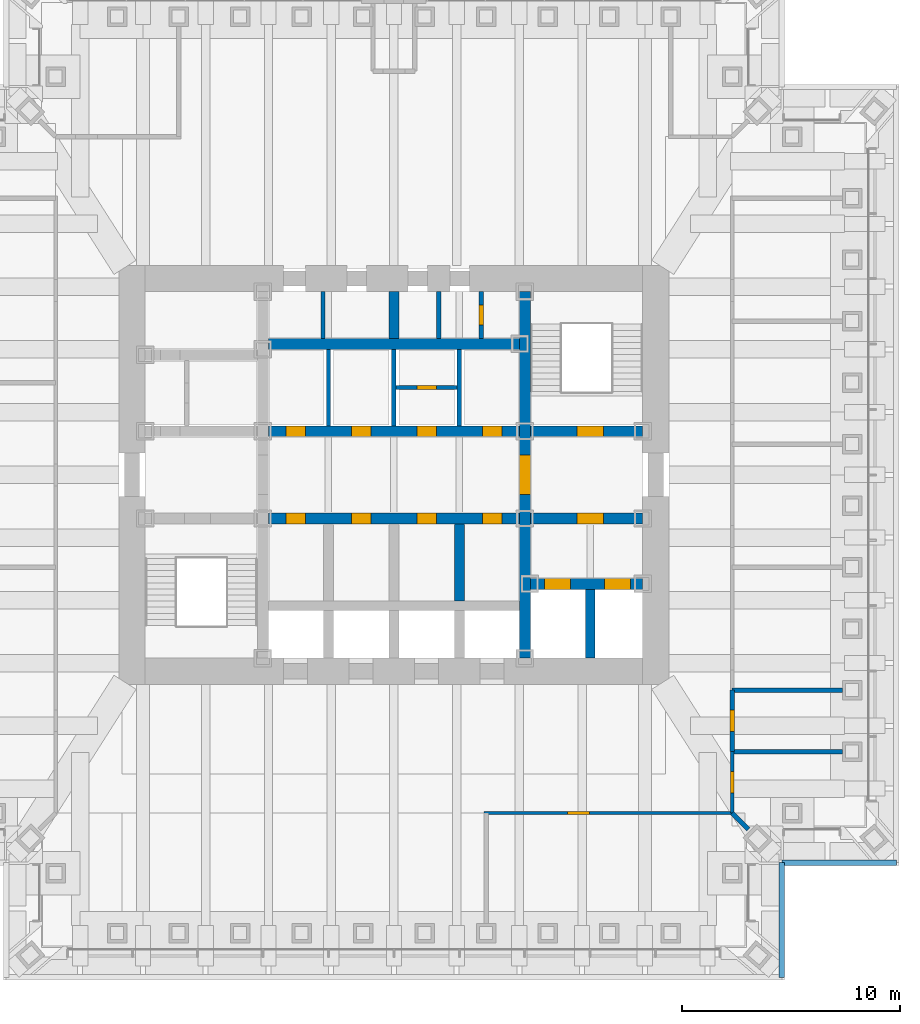
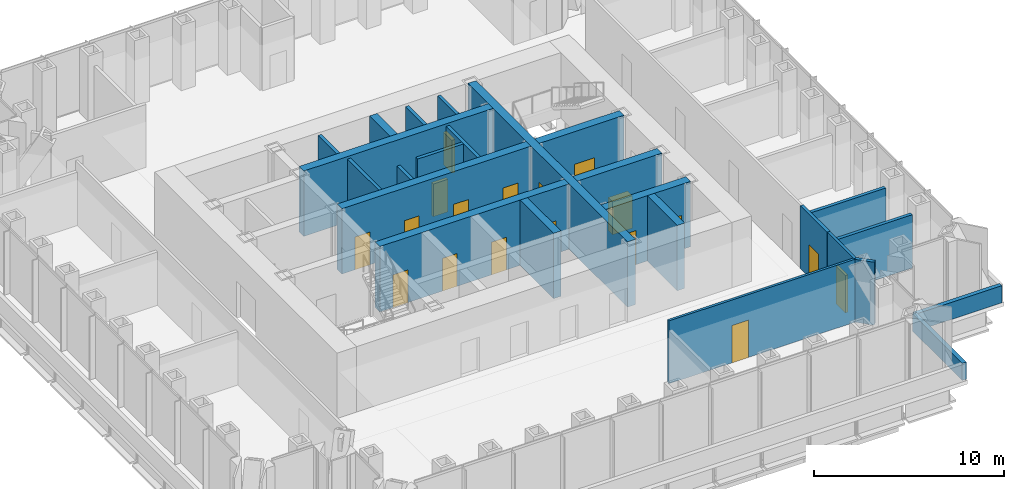
# One storey, part 9 of 12: 25 walls, 18 doors, 18 openings.
"""IFC4 building model written with IfcOpenShell, lengths in metres."""

from ifc_helpers import new_model, si_unit, direction, frame, frame_2d, origin, place, context, subcontext, project, spatial, rectangle, extrude, material, layer, layer_set, type_object, element, fill, save


model = new_model("IFC4")

# Units and contexts
model_context = context("Model", 3, precision=1e-05, world=origin(), true_north=direction((0.0, 1.0)))
body_context = subcontext(model_context, "Body", "Model", "MODEL_VIEW")
ifc_project = project(units=[si_unit("LENGTHUNIT", "METRE"), si_unit("AREAUNIT", "SQUARE_METRE"), si_unit("VOLUMEUNIT", "CUBIC_METRE"), si_unit("PLANEANGLEUNIT", "RADIAN"), si_unit("MASSUNIT", "GRAM", prefix="KILO")], contexts=[model_context])

# Site, building, storey
site_placement = place(None, origin())
site = spatial("IfcSite", under=ifc_project, at=site_placement, CompositionType="ELEMENT")
building_placement = place(site_placement, origin())
building = spatial("IfcBuilding", under=site, at=building_placement, Name="Daluyong Arena Tower", CompositionType="ELEMENT")
storey_placement = place(building_placement, frame((0.0, 0.0, 181.300048828125)))
storey = spatial("IfcBuildingStorey", under=building, at=storey_placement, Name="L40", CompositionType="ELEMENT", Elevation=181.300048828125)

# Wall, opening, door
ifc_material_1 = material(Name="Concrete fc' 45 MPa", Category="concrete")
ifc_layer_1 = layer(ifc_material_1, 0.5)
ifc_layer_set_1 = layer_set([ifc_layer_1], Name="Concrete fc' 45 MPa")
wall_type_1 = type_object("IfcWallType", Name="Core inner wall 500", PredefinedType="SHEAR", material=ifc_layer_set_1)
wall_1_placement = place(storey_placement, frame((62.0, 71.60009765625, 0.0), z_axis=(0.0, 0.0, 1.0), x_axis=(0.0, 1.0, 0.0)))
wall_1 = element("IfcWall", 1, at=wall_1_placement, inside=storey, type_object=wall_type_1, Name="core inner wall at L40", PredefinedType="SHEAR", context=body_context, shape_type="SweptSolid", body=[
    extrude(rectangle(XDim=16.7998046875, YDim=0.5, at=frame_2d((8.39990234375, 0.0))), origin(), (0.0, 0.0, 1.0), 4.199951171875),
])
opening_1_placement = place(wall_1_placement, frame((7.5, 0.0, 0.0)))
opening_1 = element("IfcOpeningElement", 2, at=opening_1_placement, cuts=wall_1, Name="Opening 40023", PredefinedType="OPENING", context=body_context, shape_type="SweptSolid", body=[
    extrude(rectangle(XDim=1.800048828125, YDim=2.39990234375, at=frame_2d((0.89990234375, 1.199951171875))), frame((0.0, 0.260009765625, 0.0), z_axis=(0.0, -1.0, 0.0), x_axis=(1.0, 0.0, 0.0)), (0.0, 0.0, 1.0), 0.52001953125),
])
ifc_material_2 = material(Name="Steel door, fire rated", Category="steel")
door_type_1 = type_object("IfcDoorType", Name="Lift lobby opening door 1800", OperationType="DOUBLE_DOOR_SINGLE_SWING", PredefinedType="DOOR", material=ifc_material_2)
door_1_placement = place(opening_1_placement, origin())
door_1 = element("IfcDoor", 3, at=door_1_placement, inside=storey, type_object=door_type_1, Name="lift lobby door east 40023", OperationType="DOUBLE_DOOR_SINGLE_SWING", OverallHeight=2.39990234375, OverallWidth=1.800048828125, PredefinedType="DOOR", context=body_context, shape_type="SweptSolid", body=[
    extrude(rectangle(XDim=1.800048828125, YDim=2.39990234375, at=frame_2d((0.89990234375, 1.199951171875))), frame((0.0, 0.249755859375, 0.0), z_axis=(0.0, -1.0, 0.0), x_axis=(1.0, 0.0, 0.0)), (0.0, 0.0, 1.0), 0.49951171875),
])
fill(opening_1, door_1)

# Wall, openings, doors
wall_2_placement = place(storey_placement, frame((62.25, 75.0, 0.0), z_axis=(0.0, 0.0, 1.0), x_axis=(1.0, 0.0, 0.0)))
wall_2 = element("IfcWall", 4, at=wall_2_placement, inside=storey, type_object=wall_type_1, Name="core inner wall at L40", PredefinedType="SHEAR", context=body_context, shape_type="SweptSolid", body=[
    extrude(rectangle(XDim=5.14990234375, YDim=0.5, at=frame_2d((2.574951171875, 0.0))), origin(), (0.0, 0.0, 1.0), 4.199951171875),
])
opening_2_placement = place(wall_2_placement, frame((0.64990234375, 0.0, 0.0)))
opening_2 = element("IfcOpeningElement", 5, at=opening_2_placement, cuts=wall_2, Name="Opening 40029", PredefinedType="OPENING", context=body_context, shape_type="SweptSolid", body=[
    extrude(rectangle(XDim=1.199951171875, YDim=2.199951171875, at=frame_2d((0.60009765625, 1.10009765625))), frame((0.0, 0.260009765625, 0.0), z_axis=(0.0, -1.0, 0.0), x_axis=(1.0, 0.0, 0.0)), (0.0, 0.0, 1.0), 0.52001953125),
])
opening_3_placement = place(wall_2_placement, frame((3.39990234375, 0.0, 0.0)))
opening_3 = element("IfcOpeningElement", 6, at=opening_3_placement, cuts=wall_2, Name="Opening 40030", PredefinedType="OPENING", context=body_context, shape_type="SweptSolid", body=[
    extrude(rectangle(XDim=1.199951171875, YDim=2.199951171875, at=frame_2d((0.60009765625, 1.10009765625))), frame((0.0, 0.260009765625, 0.0), z_axis=(0.0, -1.0, 0.0), x_axis=(1.0, 0.0, 0.0)), (0.0, 0.0, 1.0), 0.52001953125),
])
ifc_material_3 = material(Name="Steel door, fire rated", Category="steel")
door_type_2 = type_object("IfcDoorType", Name="Firefighting lift landing door 1200", OperationType="SLIDING_TO_LEFT", PredefinedType="DOOR", material=ifc_material_3)
door_2_placement = place(opening_2_placement, origin())
door_2 = element("IfcDoor", 7, at=door_2_placement, inside=storey, type_object=door_type_2, Name="firefighting lift landing door F1 40029", OperationType="SLIDING_TO_LEFT", OverallHeight=2.199951171875, OverallWidth=1.199951171875, PredefinedType="DOOR", context=body_context, shape_type="SweptSolid", body=[
    extrude(rectangle(XDim=1.199951171875, YDim=2.199951171875, at=frame_2d((0.60009765625, 1.10009765625))), frame((0.0, 0.249755859375, 0.0), z_axis=(0.0, -1.0, 0.0), x_axis=(1.0, 0.0, 0.0)), (0.0, 0.0, 1.0), 0.49951171875),
])
fill(opening_2, door_2)
door_3_placement = place(opening_3_placement, origin())
door_3 = element("IfcDoor", 8, at=door_3_placement, inside=storey, type_object=door_type_2, Name="firefighting lift landing door F2 40030", OperationType="SLIDING_TO_LEFT", OverallHeight=2.199951171875, OverallWidth=1.199951171875, PredefinedType="DOOR", context=body_context, shape_type="SweptSolid", body=[
    extrude(rectangle(XDim=1.199951171875, YDim=2.199951171875, at=frame_2d((0.60009765625, 1.10009765625))), frame((0.0, 0.249755859375, 0.0), z_axis=(0.0, -1.0, 0.0), x_axis=(1.0, 0.0, 0.0)), (0.0, 0.0, 1.0), 0.49951171875),
])
fill(opening_3, door_3)

# Wall, opening, door
wall_3_placement = place(storey_placement, frame((62.25, 78.0, 0.0), z_axis=(0.0, 0.0, 1.0), x_axis=(1.0, 0.0, 0.0)))
wall_3 = element("IfcWall", 9, at=wall_3_placement, inside=storey, type_object=wall_type_1, Name="core inner wall at L40", PredefinedType="SHEAR", context=body_context, shape_type="SweptSolid", body=[
    extrude(rectangle(XDim=5.14990234375, YDim=0.5, at=frame_2d((2.574951171875, 0.0))), origin(), (0.0, 0.0, 1.0), 4.199951171875),
])
opening_4_placement = place(wall_3_placement, frame((2.14990234375, 0.0, 0.0)))
opening_4 = element("IfcOpeningElement", 10, at=opening_4_placement, cuts=wall_3, Name="Opening 40024", PredefinedType="OPENING", context=body_context, shape_type="SweptSolid", body=[
    extrude(rectangle(XDim=1.199951171875, YDim=2.10009765625, at=frame_2d((0.60009765625, 1.050048828125))), frame((0.0, 0.260009765625, 0.0), z_axis=(0.0, -1.0, 0.0), x_axis=(1.0, 0.0, 0.0)), (0.0, 0.0, 1.0), 0.52001953125),
])
ifc_material_4 = material(Name="Steel door, fire rated", Category="steel")
door_type_3 = type_object("IfcDoorType", Name="Firefighting lobby door 1200", OperationType="SINGLE_SWING_RIGHT", PredefinedType="DOOR", material=ifc_material_4)
door_4_placement = place(opening_4_placement, origin())
door_4 = element("IfcDoor", 11, at=door_4_placement, inside=storey, type_object=door_type_3, Name="firefighting lobby door 40024", OperationType="SINGLE_SWING_RIGHT", OverallHeight=2.10009765625, OverallWidth=1.199951171875, PredefinedType="DOOR", context=body_context, shape_type="SweptSolid", body=[
    extrude(rectangle(XDim=1.199951171875, YDim=2.10009765625, at=frame_2d((0.60009765625, 1.050048828125))), frame((0.0, 0.249755859375, 0.0), z_axis=(0.0, -1.0, 0.0), x_axis=(1.0, 0.0, 0.0)), (0.0, 0.0, 1.0), 0.49951171875),
])
fill(opening_4, door_4)

wall_4_placement = place(storey_placement, frame((62.25, 82.0, 0.0), z_axis=(0.0, 0.0, 1.0), x_axis=(1.0, 0.0, 0.0)))
wall_4 = element("IfcWall", 12, at=wall_4_placement, inside=storey, type_object=wall_type_1, Name="core inner wall at L40", PredefinedType="SHEAR", context=body_context, shape_type="SweptSolid", body=[
    extrude(rectangle(XDim=5.14990234375, YDim=0.5, at=frame_2d((2.574951171875, 0.0))), origin(), (0.0, 0.0, 1.0), 4.199951171875),
])
opening_5_placement = place(wall_4_placement, frame((2.14990234375, 0.0, 0.0)))
opening_5 = element("IfcOpeningElement", 13, at=opening_5_placement, cuts=wall_4, Name="Opening 40019", PredefinedType="OPENING", context=body_context, shape_type="SweptSolid", body=[
    extrude(rectangle(XDim=1.199951171875, YDim=2.10009765625, at=frame_2d((0.60009765625, 1.050048828125))), frame((0.0, 0.260009765625, 0.0), z_axis=(0.0, -1.0, 0.0), x_axis=(1.0, 0.0, 0.0)), (0.0, 0.0, 1.0), 0.52001953125),
])
ifc_material_5 = material(Name="Steel door, fire rated", Category="steel")
door_type_4 = type_object("IfcDoorType", Name="Stair door 1200", OperationType="SINGLE_SWING_LEFT", PredefinedType="DOOR", material=ifc_material_5)
door_5_placement = place(opening_5_placement, origin())
door_5 = element("IfcDoor", 14, at=door_5_placement, inside=storey, type_object=door_type_4, Name="stair B door 40019", OperationType="SINGLE_SWING_LEFT", OverallHeight=2.10009765625, OverallWidth=1.199951171875, PredefinedType="DOOR", context=body_context, shape_type="SweptSolid", body=[
    extrude(rectangle(XDim=1.199951171875, YDim=2.10009765625, at=frame_2d((0.60009765625, 1.050048828125))), frame((0.0, 0.249755859375, 0.0), z_axis=(0.0, -1.0, 0.0), x_axis=(1.0, 0.0, 0.0)), (0.0, 0.0, 1.0), 0.49951171875),
])
fill(opening_5, door_5)

# Wall, openings, doors
wall_5_placement = place(storey_placement, frame((50.25, 78.0, 0.0), z_axis=(0.0, 0.0, 1.0), x_axis=(1.0, 0.0, 0.0)))
wall_5 = element("IfcWall", 15, at=wall_5_placement, inside=storey, type_object=wall_type_1, Name="core inner wall at L40", PredefinedType="SHEAR", context=body_context, shape_type="SweptSolid", body=[
    extrude(rectangle(XDim=11.5, YDim=0.5, at=frame_2d((5.75, 0.0))), origin(), (0.0, 0.0, 1.0), 4.199951171875),
])
opening_6_placement = place(wall_5_placement, frame((0.800048828125, 0.0, 0.0)))
opening_6 = element("IfcOpeningElement", 16, at=opening_6_placement, cuts=wall_5, Name="Opening 40009", PredefinedType="OPENING", context=body_context, shape_type="SweptSolid", body=[
    extrude(rectangle(XDim=0.89990234375, YDim=2.10009765625, at=frame_2d((0.449951171875, 1.050048828125))), frame((0.0, 0.260009765625, 0.0), z_axis=(0.0, -1.0, 0.0), x_axis=(1.0, 0.0, 0.0)), (0.0, 0.0, 1.0), 0.52001953125),
])
opening_7_placement = place(wall_5_placement, frame((3.800048828125, 0.0, 0.0)))
opening_7 = element("IfcOpeningElement", 17, at=opening_7_placement, cuts=wall_5, Name="Opening 40010", PredefinedType="OPENING", context=body_context, shape_type="SweptSolid", body=[
    extrude(rectangle(XDim=0.89990234375, YDim=2.10009765625, at=frame_2d((0.449951171875, 1.050048828125))), frame((0.0, 0.260009765625, 0.0), z_axis=(0.0, -1.0, 0.0), x_axis=(1.0, 0.0, 0.0)), (0.0, 0.0, 1.0), 0.52001953125),
])
opening_8_placement = place(wall_5_placement, frame((6.800048828125, 0.0, 0.0)))
opening_8 = element("IfcOpeningElement", 18, at=opening_8_placement, cuts=wall_5, Name="Opening 40011", PredefinedType="OPENING", context=body_context, shape_type="SweptSolid", body=[
    extrude(rectangle(XDim=0.89990234375, YDim=2.10009765625, at=frame_2d((0.449951171875, 1.050048828125))), frame((0.0, 0.260009765625, 0.0), z_axis=(0.0, -1.0, 0.0), x_axis=(1.0, 0.0, 0.0)), (0.0, 0.0, 1.0), 0.52001953125),
])
opening_9_placement = place(wall_5_placement, frame((9.800048828125, 0.0, 0.0)))
opening_9 = element("IfcOpeningElement", 19, at=opening_9_placement, cuts=wall_5, Name="Opening 40012", PredefinedType="OPENING", context=body_context, shape_type="SweptSolid", body=[
    extrude(rectangle(XDim=0.89990234375, YDim=2.10009765625, at=frame_2d((0.449951171875, 1.050048828125))), frame((0.0, 0.260009765625, 0.0), z_axis=(0.0, -1.0, 0.0), x_axis=(1.0, 0.0, 0.0)), (0.0, 0.0, 1.0), 0.52001953125),
])
ifc_material_6 = material(Name="Steel door, fire rated", Category="steel")
door_type_5 = type_object("IfcDoorType", Name="Core room door 900", OperationType="SINGLE_SWING_LEFT", PredefinedType="DOOR", material=ifc_material_6)
door_6_placement = place(opening_6_placement, origin())
door_6 = element("IfcDoor", 20, at=door_6_placement, inside=storey, type_object=door_type_5, Name="staff pantry door 40009", OperationType="SINGLE_SWING_LEFT", OverallHeight=2.10009765625, OverallWidth=0.89990234375, PredefinedType="DOOR", context=body_context, shape_type="SweptSolid", body=[
    extrude(rectangle(XDim=0.89990234375, YDim=2.10009765625, at=frame_2d((0.449951171875, 1.050048828125))), frame((0.0, 0.249755859375, 0.0), z_axis=(0.0, -1.0, 0.0), x_axis=(1.0, 0.0, 0.0)), (0.0, 0.0, 1.0), 0.49951171875),
])
fill(opening_6, door_6)
door_7_placement = place(opening_8_placement, origin())
door_7 = element("IfcDoor", 21, at=door_7_placement, inside=storey, type_object=door_type_5, Name="vending room door 40011", OperationType="SINGLE_SWING_LEFT", OverallHeight=2.10009765625, OverallWidth=0.89990234375, PredefinedType="DOOR", context=body_context, shape_type="SweptSolid", body=[
    extrude(rectangle(XDim=0.89990234375, YDim=2.10009765625, at=frame_2d((0.449951171875, 1.050048828125))), frame((0.0, 0.249755859375, 0.0), z_axis=(0.0, -1.0, 0.0), x_axis=(1.0, 0.0, 0.0)), (0.0, 0.0, 1.0), 0.49951171875),
])
fill(opening_8, door_7)
ifc_material_7 = material(Name="Steel door, fire rated", Category="steel")
door_type_6 = type_object("IfcDoorType", Name="Core store door 900", OperationType="SINGLE_SWING_LEFT", PredefinedType="DOOR", material=ifc_material_7)
door_8_placement = place(opening_9_placement, origin())
door_8 = element("IfcDoor", 22, at=door_8_placement, inside=storey, type_object=door_type_6, Name="security store door 40012", OperationType="SINGLE_SWING_LEFT", OverallHeight=2.10009765625, OverallWidth=0.89990234375, PredefinedType="DOOR", context=body_context, shape_type="SweptSolid", body=[
    extrude(rectangle(XDim=0.89990234375, YDim=2.10009765625, at=frame_2d((0.449951171875, 1.050048828125))), frame((0.0, 0.249755859375, 0.0), z_axis=(0.0, -1.0, 0.0), x_axis=(1.0, 0.0, 0.0)), (0.0, 0.0, 1.0), 0.49951171875),
])
fill(opening_9, door_8)
ifc_material_8 = material(Name="Steel door, fire rated", Category="steel")
door_type_7 = type_object("IfcDoorType", Name="Plant room door 900", OperationType="SINGLE_SWING_LEFT", PredefinedType="DOOR", material=ifc_material_8)
door_9_placement = place(opening_7_placement, origin())
door_9 = element("IfcDoor", 23, at=door_9_placement, inside=storey, type_object=door_type_7, Name="comms room door 40010", OperationType="SINGLE_SWING_LEFT", OverallHeight=2.10009765625, OverallWidth=0.89990234375, PredefinedType="DOOR", context=body_context, shape_type="SweptSolid", body=[
    extrude(rectangle(XDim=0.89990234375, YDim=2.10009765625, at=frame_2d((0.449951171875, 1.050048828125))), frame((0.0, 0.249755859375, 0.0), z_axis=(0.0, -1.0, 0.0), x_axis=(1.0, 0.0, 0.0)), (0.0, 0.0, 1.0), 0.49951171875),
])
fill(opening_7, door_9)

wall_6_placement = place(storey_placement, frame((50.25, 82.0, 0.0), z_axis=(0.0, 0.0, 1.0), x_axis=(1.0, 0.0, 0.0)))
wall_6 = element("IfcWall", 24, at=wall_6_placement, inside=storey, type_object=wall_type_1, Name="core inner wall at L40", PredefinedType="SHEAR", context=body_context, shape_type="SweptSolid", body=[
    extrude(rectangle(XDim=11.5, YDim=0.5, at=frame_2d((5.75, 0.0))), origin(), (0.0, 0.0, 1.0), 4.199951171875),
])
opening_10_placement = place(wall_6_placement, frame((0.800048828125, 0.0, 0.0)))
opening_10 = element("IfcOpeningElement", 25, at=opening_10_placement, cuts=wall_6, Name="Opening 40013", PredefinedType="OPENING", context=body_context, shape_type="SweptSolid", body=[
    extrude(rectangle(XDim=0.89990234375, YDim=2.10009765625, at=frame_2d((0.449951171875, 1.050048828125))), frame((0.0, 0.260009765625, 0.0), z_axis=(0.0, -1.0, 0.0), x_axis=(1.0, 0.0, 0.0)), (0.0, 0.0, 1.0), 0.52001953125),
])
opening_11_placement = place(wall_6_placement, frame((3.800048828125, 0.0, 0.0)))
opening_11 = element("IfcOpeningElement", 26, at=opening_11_placement, cuts=wall_6, Name="Opening 40014", PredefinedType="OPENING", context=body_context, shape_type="SweptSolid", body=[
    extrude(rectangle(XDim=0.89990234375, YDim=2.10009765625, at=frame_2d((0.449951171875, 1.050048828125))), frame((0.0, 0.260009765625, 0.0), z_axis=(0.0, -1.0, 0.0), x_axis=(1.0, 0.0, 0.0)), (0.0, 0.0, 1.0), 0.52001953125),
])
opening_12_placement = place(wall_6_placement, frame((6.800048828125, 0.0, 0.0)))
opening_12 = element("IfcOpeningElement", 27, at=opening_12_placement, cuts=wall_6, Name="Opening 40015", PredefinedType="OPENING", context=body_context, shape_type="SweptSolid", body=[
    extrude(rectangle(XDim=0.89990234375, YDim=2.10009765625, at=frame_2d((0.449951171875, 1.050048828125))), frame((0.0, 0.260009765625, 0.0), z_axis=(0.0, -1.0, 0.0), x_axis=(1.0, 0.0, 0.0)), (0.0, 0.0, 1.0), 0.52001953125),
])
opening_13_placement = place(wall_6_placement, frame((9.800048828125, 0.0, 0.0)))
opening_13 = element("IfcOpeningElement", 28, at=opening_13_placement, cuts=wall_6, Name="Opening 40017", PredefinedType="OPENING", context=body_context, shape_type="SweptSolid", body=[
    extrude(rectangle(XDim=0.89990234375, YDim=2.10009765625, at=frame_2d((0.449951171875, 1.050048828125))), frame((0.0, 0.260009765625, 0.0), z_axis=(0.0, -1.0, 0.0), x_axis=(1.0, 0.0, 0.0)), (0.0, 0.0, 1.0), 0.52001953125),
])
door_10_placement = place(opening_10_placement, origin())
door_10 = element("IfcDoor", 29, at=door_10_placement, inside=storey, type_object=door_type_5, Name="mail room door 40013", OperationType="SINGLE_SWING_LEFT", OverallHeight=2.10009765625, OverallWidth=0.89990234375, PredefinedType="DOOR", context=body_context, shape_type="SweptSolid", body=[
    extrude(rectangle(XDim=0.89990234375, YDim=2.10009765625, at=frame_2d((0.449951171875, 1.050048828125))), frame((0.0, 0.249755859375, 0.0), z_axis=(0.0, -1.0, 0.0), x_axis=(1.0, 0.0, 0.0)), (0.0, 0.0, 1.0), 0.49951171875),
])
fill(opening_10, door_10)
door_11_placement = place(opening_11_placement, origin())
door_11 = element("IfcDoor", 30, at=door_11_placement, inside=storey, type_object=door_type_5, Name="tea point door 40014", OperationType="SINGLE_SWING_LEFT", OverallHeight=2.10009765625, OverallWidth=0.89990234375, PredefinedType="DOOR", context=body_context, shape_type="SweptSolid", body=[
    extrude(rectangle(XDim=0.89990234375, YDim=2.10009765625, at=frame_2d((0.449951171875, 1.050048828125))), frame((0.0, 0.249755859375, 0.0), z_axis=(0.0, -1.0, 0.0), x_axis=(1.0, 0.0, 0.0)), (0.0, 0.0, 1.0), 0.49951171875),
])
fill(opening_11, door_11)
door_12_placement = place(opening_12_placement, origin())
door_12 = element("IfcDoor", 31, at=door_12_placement, inside=storey, type_object=door_type_6, Name="tenant store door 40015", OperationType="SINGLE_SWING_LEFT", OverallHeight=2.10009765625, OverallWidth=0.89990234375, PredefinedType="DOOR", context=body_context, shape_type="SweptSolid", body=[
    extrude(rectangle(XDim=0.89990234375, YDim=2.10009765625, at=frame_2d((0.449951171875, 1.050048828125))), frame((0.0, 0.249755859375, 0.0), z_axis=(0.0, -1.0, 0.0), x_axis=(1.0, 0.0, 0.0)), (0.0, 0.0, 1.0), 0.49951171875),
])
fill(opening_12, door_12)
door_13_placement = place(opening_13_placement, origin())
door_13 = element("IfcDoor", 32, at=door_13_placement, inside=storey, type_object=door_type_6, Name="furniture store door 40017", OperationType="SINGLE_SWING_LEFT", OverallHeight=2.10009765625, OverallWidth=0.89990234375, PredefinedType="DOOR", context=body_context, shape_type="SweptSolid", body=[
    extrude(rectangle(XDim=0.89990234375, YDim=2.10009765625, at=frame_2d((0.449951171875, 1.050048828125))), frame((0.0, 0.249755859375, 0.0), z_axis=(0.0, -1.0, 0.0), x_axis=(1.0, 0.0, 0.0)), (0.0, 0.0, 1.0), 0.49951171875),
])
fill(opening_13, door_13)

# Walls
wall_7_placement = place(storey_placement, frame((50.25, 86.0, 0.0), z_axis=(0.0, 0.0, 1.0), x_axis=(1.0, 0.0, 0.0)))
element("IfcWall", 33, at=wall_7_placement, inside=storey, type_object=wall_type_1, Name="core inner wall at L40", PredefinedType="SHEAR", context=body_context, shape_type="SweptSolid", body=[
    extrude(rectangle(XDim=11.5, YDim=0.5, at=frame_2d((5.75, 0.0))), origin(), (0.0, 0.0, 1.0), 4.199951171875),
])
ifc_material_9 = material(Name="Concrete block partition, fire rated", Category="concrete")
ifc_layer_2 = layer(ifc_material_9, 0.199951171875)
ifc_layer_set_2 = layer_set([ifc_layer_2], Name="Concrete block partition, fire rated")
wall_type_2 = type_object("IfcWallType", Name="Fire-rated partition 200", PredefinedType="PARTITIONING", material=ifc_layer_set_2)
wall_8_placement = place(storey_placement, frame((52.75, 86.25, 0.0), z_axis=(0.0, 0.0, 1.0), x_axis=(0.0, 1.0, 0.0)))
element("IfcWall", 34, at=wall_8_placement, inside=storey, type_object=wall_type_2, Name="core room partition at L40", PredefinedType="PARTITIONING", context=body_context, shape_type="SweptSolid", body=[
    extrude(rectangle(XDim=2.14990234375, YDim=0.199951171875, at=frame_2d((1.074951171875, 0.0))), origin(), (0.0, 0.0, 1.0), 4.0400390625),
])

# Wall, opening, door
wall_9_placement = place(storey_placement, frame((60.0, 86.25, 0.0), z_axis=(0.0, 0.0, 1.0), x_axis=(0.0, 1.0, 0.0)))
wall_9 = element("IfcWall", 35, at=wall_9_placement, inside=storey, type_object=wall_type_2, Name="electrical riser enclosure at L40", PredefinedType="PARTITIONING", context=body_context, shape_type="SweptSolid", body=[
    extrude(rectangle(XDim=2.14990234375, YDim=0.199951171875, at=frame_2d((1.074951171875, 0.0))), origin(), (0.0, 0.0, 1.0), 4.0400390625),
])
opening_14_placement = place(wall_9_placement, frame((0.625, 0.0, 0.0)))
opening_14 = element("IfcOpeningElement", 36, at=opening_14_placement, cuts=wall_9, Name="Opening 40008", PredefinedType="OPENING", context=body_context, shape_type="SweptSolid", body=[
    extrude(rectangle(XDim=0.89990234375, YDim=2.10009765625, at=frame_2d((0.449951171875, 1.050048828125))), frame((0.0, 0.10986328125, 0.0), z_axis=(0.0, -1.0, 0.0), x_axis=(1.0, 0.0, 0.0)), (0.0, 0.0, 1.0), 0.219970703125),
])
ifc_material_10 = material(Name="Steel door, fire rated", Category="steel")
door_type_8 = type_object("IfcDoorType", Name="Riser door 900", OperationType="SINGLE_SWING_LEFT", PredefinedType="DOOR", material=ifc_material_10)
door_14_placement = place(opening_14_placement, origin())
door_14 = element("IfcDoor", 37, at=door_14_placement, inside=storey, type_object=door_type_8, Name="riser door 40008", OperationType="SINGLE_SWING_LEFT", OverallHeight=2.10009765625, OverallWidth=0.89990234375, PredefinedType="DOOR", context=body_context, shape_type="SweptSolid", body=[
    extrude(rectangle(XDim=0.89990234375, YDim=2.10009765625, at=frame_2d((0.449951171875, 1.050048828125))), frame((0.0, 0.099609375, 0.0), z_axis=(0.0, -1.0, 0.0), x_axis=(1.0, 0.0, 0.0)), (0.0, 0.0, 1.0), 0.199462890625),
])
fill(opening_14, door_14)

# Walls
wall_10_placement = place(storey_placement, frame((58.050048828125, 86.25, 0.0), z_axis=(0.0, 0.0, 1.0), x_axis=(0.0, 1.0, 0.0)))
element("IfcWall", 38, at=wall_10_placement, inside=storey, type_object=wall_type_2, Name="core room partition at L40", PredefinedType="PARTITIONING", context=body_context, shape_type="SweptSolid", body=[
    extrude(rectangle(XDim=2.14990234375, YDim=0.199951171875, at=frame_2d((1.074951171875, 0.0))), origin(), (0.0, 0.0, 1.0), 4.0400390625),
])
wall_11_placement = place(storey_placement, frame((53.0, 82.25, 0.0), z_axis=(0.0, 0.0, 1.0), x_axis=(0.0, 1.0, 0.0)))
element("IfcWall", 39, at=wall_11_placement, inside=storey, type_object=wall_type_2, Name="core room partition at L40", PredefinedType="PARTITIONING", context=body_context, shape_type="SweptSolid", body=[
    extrude(rectangle(XDim=3.5, YDim=0.199951171875, at=frame_2d((1.75, 0.0))), origin(), (0.0, 0.0, 1.0), 4.0400390625),
])
wall_12_placement = place(storey_placement, frame((56.0, 82.25, 0.0), z_axis=(0.0, 0.0, 1.0), x_axis=(0.0, 1.0, 0.0)))
element("IfcWall", 40, at=wall_12_placement, inside=storey, type_object=wall_type_2, Name="core room partition at L40", PredefinedType="PARTITIONING", context=body_context, shape_type="SweptSolid", body=[
    extrude(rectangle(XDim=3.5, YDim=0.199951171875, at=frame_2d((1.75, 0.0))), origin(), (0.0, 0.0, 1.0), 2.5400390625),
])
wall_13_placement = place(storey_placement, frame((59.0, 82.25, 0.0), z_axis=(0.0, 0.0, 1.0), x_axis=(0.0, 1.0, 0.0)))
element("IfcWall", 41, at=wall_13_placement, inside=storey, type_object=wall_type_2, Name="core room partition at L40", PredefinedType="PARTITIONING", context=body_context, shape_type="SweptSolid", body=[
    extrude(rectangle(XDim=3.5, YDim=0.199951171875, at=frame_2d((1.75, 0.0))), origin(), (0.0, 0.0, 1.0), 4.0400390625),
])

# Wall, opening, door
wall_14_placement = place(storey_placement, frame((56.10009765625, 84.0, 0.0), z_axis=(0.0, 0.0, 1.0), x_axis=(1.0, 0.0, 0.0)))
wall_14 = element("IfcWall", 42, at=wall_14_placement, inside=storey, type_object=wall_type_2, Name="back store partition at L40", PredefinedType="PARTITIONING", context=body_context, shape_type="SweptSolid", body=[
    extrude(rectangle(XDim=2.7998046875, YDim=0.199951171875, at=frame_2d((1.39990234375, 0.0))), origin(), (0.0, 0.0, 1.0), 4.0400390625),
])
opening_15_placement = place(wall_14_placement, frame((0.949951171875, 0.0, 0.0)))
opening_15 = element("IfcOpeningElement", 43, at=opening_15_placement, cuts=wall_14, Name="Opening 40016", PredefinedType="OPENING", context=body_context, shape_type="SweptSolid", body=[
    extrude(rectangle(XDim=0.89990234375, YDim=2.10009765625, at=frame_2d((0.449951171875, 1.050048828125))), frame((0.0, 0.10986328125, 0.0), z_axis=(0.0, -1.0, 0.0), x_axis=(1.0, 0.0, 0.0)), (0.0, 0.0, 1.0), 0.219970703125),
])
door_15_placement = place(opening_15_placement, origin())
door_15 = element("IfcDoor", 44, at=door_15_placement, inside=storey, type_object=door_type_6, Name="stationery store door 40016", OperationType="SINGLE_SWING_LEFT", OverallHeight=2.10009765625, OverallWidth=0.89990234375, PredefinedType="DOOR", context=body_context, shape_type="SweptSolid", body=[
    extrude(rectangle(XDim=0.89990234375, YDim=2.10009765625, at=frame_2d((0.449951171875, 1.050048828125))), frame((0.0, 0.099609375, 0.0), z_axis=(0.0, -1.0, 0.0), x_axis=(1.0, 0.0, 0.0)), (0.0, 0.0, 1.0), 0.199462890625),
])
fill(opening_15, door_15)

ifc_material_11 = material(Name="Glazed aluminium partition", Category="aluminium")
ifc_layer_3 = layer(ifc_material_11, 0.14990234375)
ifc_layer_set_3 = layer_set([ifc_layer_3], Name="Glazed aluminium partition")
wall_type_3 = type_object("IfcWallType", Name="Glazed partition 150", PredefinedType="PARTITIONING", material=ifc_layer_set_3)
wall_15_placement = place(storey_placement, frame((60.127197265625, 64.5, 0.0), z_axis=(0.0, 0.0, 1.0), x_axis=(1.0, 0.0, 0.0)))
wall_15 = element("IfcWall", 45, at=wall_15_placement, inside=storey, type_object=wall_type_3, Name="glazed partition at L40", PredefinedType="PARTITIONING", context=body_context, shape_type="SweptSolid", body=[
    extrude(rectangle(XDim=11.372802734375, YDim=0.14990234375, at=frame_2d((5.6865234375, 0.0))), origin(), (0.0, 0.0, 1.0), 4.0400390625),
])
opening_16_placement = place(wall_15_placement, frame((3.827392578125, 0.0, 0.0)))
opening_16 = element("IfcOpeningElement", 46, at=opening_16_placement, cuts=wall_15, Name="Opening 40031", PredefinedType="OPENING", context=body_context, shape_type="SweptSolid", body=[
    extrude(rectangle(XDim=1.0, YDim=2.39990234375, at=frame_2d((0.5, 1.199951171875))), frame((0.0, 0.0849609375, 0.0), z_axis=(0.0, -1.0, 0.0), x_axis=(1.0, 0.0, 0.0)), (0.0, 0.0, 1.0), 0.169921875),
])
ifc_material_12 = material(Name="Glazed aluminium door", Category="aluminium")
door_type_9 = type_object("IfcDoorType", Name="Meeting room glazed door 1000", OperationType="SINGLE_SWING_RIGHT", PredefinedType="DOOR", material=ifc_material_12)
door_16_placement = place(opening_16_placement, origin())
door_16 = element("IfcDoor", 47, at=door_16_placement, inside=storey, type_object=door_type_9, Name="business lounge door 40031", OperationType="SINGLE_SWING_RIGHT", OverallHeight=2.39990234375, OverallWidth=1.0, PredefinedType="DOOR", context=body_context, shape_type="SweptSolid", body=[
    extrude(rectangle(XDim=1.0, YDim=2.39990234375, at=frame_2d((0.5, 1.199951171875))), frame((0.0, 0.07470703125, 0.0), z_axis=(0.0, -1.0, 0.0), x_axis=(1.0, 0.0, 0.0)), (0.0, 0.0, 1.0), 0.1494140625),
])
fill(opening_16, door_16)

wall_16_placement = place(storey_placement, frame((71.5, 64.5, 0.0), z_axis=(0.0, 0.0, 1.0), x_axis=(0.0, 1.0, 0.0)))
wall_16 = element("IfcWall", 48, at=wall_16_placement, inside=storey, type_object=wall_type_3, Name="glazed partition at L40", PredefinedType="PARTITIONING", context=body_context, shape_type="SweptSolid", body=[
    extrude(rectangle(XDim=2.818115234375, YDim=0.14990234375, at=frame_2d((1.4091796875, 0.0))), origin(), (0.0, 0.0, 1.0), 4.0400390625),
])
opening_17_placement = place(wall_16_placement, frame((0.9091796875, 0.0, 0.0)))
opening_17 = element("IfcOpeningElement", 49, at=opening_17_placement, cuts=wall_16, Name="Opening 40032", PredefinedType="OPENING", context=body_context, shape_type="SweptSolid", body=[
    extrude(rectangle(XDim=1.0, YDim=2.39990234375, at=frame_2d((0.5, 1.199951171875))), frame((0.0, 0.0849609375, 0.0), z_axis=(0.0, -1.0, 0.0), x_axis=(1.0, 0.0, 0.0)), (0.0, 0.0, 1.0), 0.169921875),
])
door_17_placement = place(opening_17_placement, origin())
door_17 = element("IfcDoor", 50, at=door_17_placement, inside=storey, type_object=door_type_9, Name="focus room door 40032", OperationType="SINGLE_SWING_RIGHT", OverallHeight=2.39990234375, OverallWidth=1.0, PredefinedType="DOOR", context=body_context, shape_type="SweptSolid", body=[
    extrude(rectangle(XDim=1.0, YDim=2.39990234375, at=frame_2d((0.5, 1.199951171875))), frame((0.0, 0.07470703125, 0.0), z_axis=(0.0, -1.0, 0.0), x_axis=(1.0, 0.0, 0.0)), (0.0, 0.0, 1.0), 0.1494140625),
])
fill(opening_17, door_17)

# Walls
ifc_material_13 = material(Name="Concrete fc' 45 MPa", Category="concrete")
ifc_layer_4 = layer(ifc_material_13, 0.449951171875)
ifc_layer_set_4 = layer_set([ifc_layer_4], Name="Concrete fc' 45 MPa")
wall_type_4 = type_object("IfcWallType", Name="Lift shaft wall 450", PredefinedType="SHEAR", material=ifc_layer_set_4)
wall_17_placement = place(storey_placement, frame((59.0, 74.22509765625, 0.0), z_axis=(0.0, 0.0, 1.0), x_axis=(0.0, 1.0, 0.0)))
element("IfcWall", 51, at=wall_17_placement, inside=storey, type_object=wall_type_4, Name="lift shaft wall at L40", PredefinedType="SHEAR", context=body_context, shape_type="SweptSolid", body=[
    extrude(rectangle(XDim=3.52490234375, YDim=0.449951171875, at=frame_2d((1.762451171875, 0.0))), origin(), (0.0, 0.0, 1.0), 4.199951171875),
])
wall_18_placement = place(storey_placement, frame((65.0, 71.60009765625, 0.0), z_axis=(0.0, 0.0, 1.0), x_axis=(0.0, 1.0, 0.0)))
element("IfcWall", 52, at=wall_18_placement, inside=storey, type_object=wall_type_4, Name="lift shaft wall at L40", PredefinedType="SHEAR", context=body_context, shape_type="SweptSolid", body=[
    extrude(rectangle(XDim=3.14990234375, YDim=0.449951171875, at=frame_2d((1.574951171875, 0.0))), origin(), (0.0, 0.0, 1.0), 4.199951171875),
])
wall_19_placement = place(storey_placement, frame((56.0, 86.25, 0.0), z_axis=(0.0, 0.0, 1.0), x_axis=(0.0, 1.0, 0.0)))
element("IfcWall", 53, at=wall_19_placement, inside=storey, type_object=wall_type_4, Name="lift shaft wall at L40", PredefinedType="SHEAR", context=body_context, shape_type="SweptSolid", body=[
    extrude(rectangle(XDim=2.14990234375, YDim=0.449951171875, at=frame_2d((1.074951171875, 0.0))), origin(), (0.0, 0.0, 1.0), 4.199951171875),
])
ifc_material_14 = material(Name="Concrete block partition", Category="concrete")
ifc_layer_5 = layer(ifc_material_14, 0.199951171875)
ifc_layer_set_5 = layer_set([ifc_layer_5], Name="Concrete block partition")
wall_type_5 = type_object("IfcWallType", Name="Partition 200", PredefinedType="PARTITIONING", material=ifc_layer_set_5)
for number, where, z_axis, x_axis, name in (
    (54, (71.5, 67.318115234375, 0.0), (0.0, 0.0, 1.0), (1.0, 0.0, 0.0), "partition at L40"),
    (55, (71.5, 70.136474609375, 0.0), (0.0, 0.0, 1.0), (1.0, 0.0, 0.0), "partition at L40"),
):
    element("IfcWall", number, at=place(storey_placement, frame(where, z_axis=z_axis, x_axis=x_axis)), inside=storey, type_object=wall_type_5, Name=name, PredefinedType="PARTITIONING", context=body_context, shape_type="SweptSolid", body=[
        extrude(rectangle(XDim=5.050048828125, YDim=0.199951171875, at=frame_2d((2.52490234375, 0.0))), origin(), (0.0, 0.0, 1.0), 3.427734375),
    ])

# Wall, opening, door
wall_20_placement = place(storey_placement, frame((71.5, 67.318115234375, 0.0), z_axis=(0.0, 0.0, 1.0), x_axis=(0.0, 1.0, 0.0)))
wall_20 = element("IfcWall", 56, at=wall_20_placement, inside=storey, type_object=wall_type_5, Name="partition at L40", PredefinedType="PARTITIONING", context=body_context, shape_type="SweptSolid", body=[
    extrude(rectangle(XDim=2.818359375, YDim=0.199951171875, at=frame_2d((1.4091796875, 0.0))), origin(), (0.0, 0.0, 1.0), 4.0400390625),
])
opening_18_placement = place(wall_20_placement, frame((0.9091796875, 0.0, 0.0)))
opening_18 = element("IfcOpeningElement", 57, at=opening_18_placement, cuts=wall_20, Name="Opening 40033", PredefinedType="OPENING", context=body_context, shape_type="SweptSolid", body=[
    extrude(rectangle(XDim=1.0, YDim=2.10009765625, at=frame_2d((0.5, 1.050048828125))), frame((0.0, 0.10986328125, 0.0), z_axis=(0.0, -1.0, 0.0), x_axis=(1.0, 0.0, 0.0)), (0.0, 0.0, 1.0), 0.219970703125),
])
ifc_material_15 = material(Name="Timber door", Category="wood")
door_type_10 = type_object("IfcDoorType", Name="Room door 1000", OperationType="SINGLE_SWING_LEFT", PredefinedType="DOOR", material=ifc_material_15)
door_18_placement = place(opening_18_placement, origin())
door_18 = element("IfcDoor", 58, at=door_18_placement, inside=storey, type_object=door_type_10, Name="quiet room door 40033", OperationType="SINGLE_SWING_LEFT", OverallHeight=2.10009765625, OverallWidth=1.0, PredefinedType="DOOR", context=body_context, shape_type="SweptSolid", body=[
    extrude(rectangle(XDim=1.0, YDim=2.10009765625, at=frame_2d((0.5, 1.050048828125))), frame((0.0, 0.099609375, 0.0), z_axis=(0.0, -1.0, 0.0), x_axis=(1.0, 0.0, 0.0)), (0.0, 0.0, 1.0), 0.199462890625),
])
fill(opening_18, door_18)

# Walls
wall_21_placement = place(storey_placement, frame((71.5, 64.5, 0.0), z_axis=(0.0, 0.0, 1.0), x_axis=(0.707106781187, -0.707106781187, 0.0)))
element("IfcWall", 59, at=wall_21_placement, inside=storey, type_object=wall_type_5, Name="partition at L40", PredefinedType="PARTITIONING", context=body_context, shape_type="SweptSolid", body=[
    extrude(rectangle(XDim=1.060546875, YDim=0.199951171875, at=frame_2d((0.5302734375, 0.0))), origin(), (0.0, 0.0, 1.0), 4.0400390625),
])
ifc_material_16 = material(Name="Precast concrete fc' 45 MPa", Category="concrete")
ifc_layer_6 = layer(ifc_material_16, 0.25)
ifc_layer_set_6 = layer_set([ifc_layer_6], Name="Precast concrete fc' 45 MPa")
wall_type_6 = type_object("IfcWallType", Name="Setback roof parapet 250", PredefinedType="PARAPET", material=ifc_layer_set_6)
for number, where, z_axis, x_axis, name in (
    (60, (79.02490234375, 62.22509765625, 0.0), (0.0, 0.0, 1.0), (-1.0, 0.0, 0.0), "setback roof parapet L40"),
    (61, (73.77490234375, 62.22509765625, 0.0), (0.0, 0.0, 1.0), (0.0, -1.0, 0.0), "setback roof parapet L40"),
):
    element("IfcWall", number, at=place(storey_placement, frame(where, z_axis=z_axis, x_axis=x_axis)), inside=storey, type_object=wall_type_6, Name=name, PredefinedType="PARAPET", context=body_context, shape_type="SweptSolid", body=[
        extrude(rectangle(XDim=5.25, YDim=0.25, at=frame_2d((2.625, 0.0))), origin(), (0.0, 0.0, 1.0), 1.099853515625),
    ])

save(model, "model.ifc")
